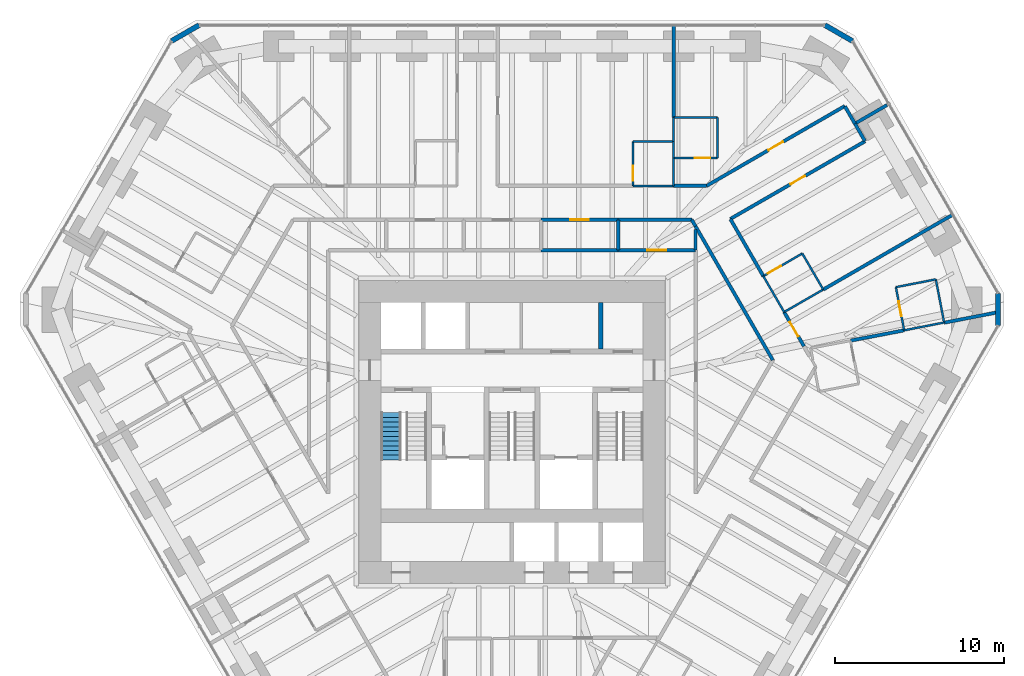
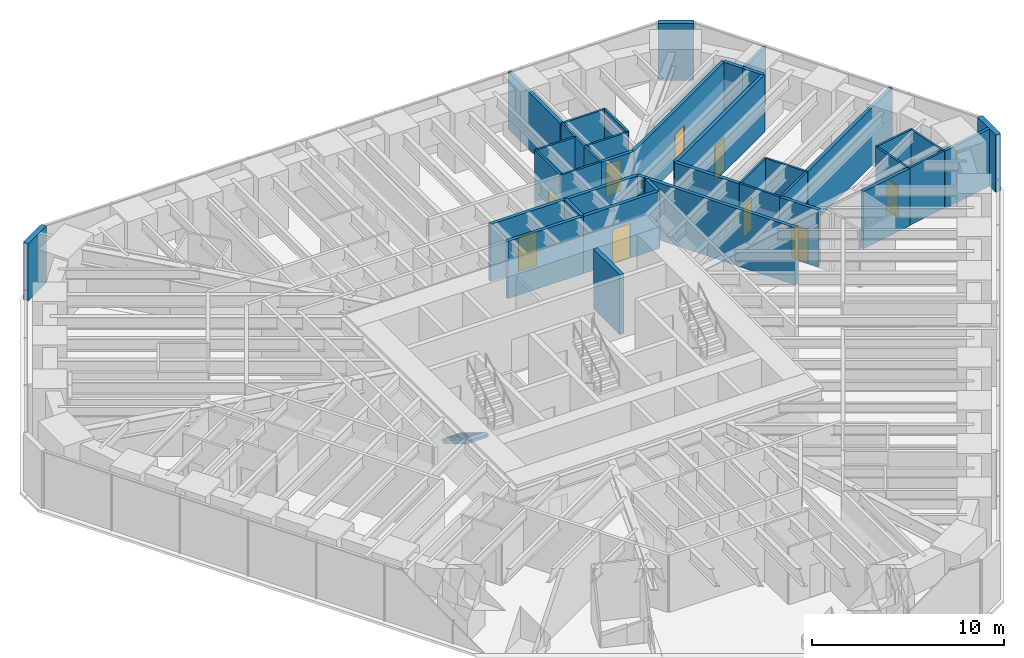
# One storey, part 15 of 17: 41 walls, 9 doors, 1 stair flight, 9 openings, 1 element without a shape of its own.
"""IFC4 building model written with IfcOpenShell, lengths in metres."""

from ifc_helpers import new_model, si_unit, direction, frame, frame_2d, origin, place, context, subcontext, project, spatial, polyline, rectangle, outline, extrude, material, layer, layer_set, type_object, element, fill, aggregate, save


model = new_model("IFC4")

# Units and contexts
model_context = context("Model", 3, precision=1e-05, world=origin(), true_north=direction((0.0, 1.0)))
body_context = subcontext(model_context, "Body", "Model", "MODEL_VIEW")
ifc_project = project(units=[si_unit("LENGTHUNIT", "METRE"), si_unit("AREAUNIT", "SQUARE_METRE"), si_unit("VOLUMEUNIT", "CUBIC_METRE"), si_unit("PLANEANGLEUNIT", "RADIAN"), si_unit("MASSUNIT", "GRAM", prefix="KILO")], contexts=[model_context])

# Site, building, storey
site_placement = place(None, origin())
site = spatial("IfcSite", under=ifc_project, at=site_placement, CompositionType="ELEMENT")
building_placement = place(site_placement, origin())
building = spatial("IfcBuilding", under=site, at=building_placement, Name="Sandreach Pilgrim Tower", CompositionType="ELEMENT")
storey_placement = place(building_placement, frame((0.0, 0.0, 142.39990234375)))
storey = spatial("IfcBuildingStorey", under=building, at=storey_placement, Name="L35", CompositionType="ELEMENT", Elevation=142.39990234375)

# Wall, opening, door
ifc_material_1 = material(Name="Moisture-resistant gypsum board on steel studs", Category="steel")
ifc_layer_1 = layer(ifc_material_1, 0.1201171875)
ifc_layer_set_1 = layer_set([ifc_layer_1], Name="Bathroom partition 120")
wall_type_1 = type_object("IfcWallType", Name="Bathroom partition 120", PredefinedType="PARTITIONING", material=ifc_layer_set_1)
wall_1_placement = place(storey_placement, frame((7.14990234375, 15.610107421875, 0.0), z_axis=(0.0, 0.0, 1.0), x_axis=(0.0, -1.0, 0.0)))
wall_1 = element("IfcWall", 1, at=wall_1_placement, inside=storey, type_object=wall_type_1, Name="Bathroom partition L35-100", PredefinedType="PARTITIONING", context=body_context, shape_type="SweptSolid", body=[
    extrude(rectangle(XDim=2.6201171875, YDim=0.1201171875, at=frame_2d((1.31005859375, 0.0))), origin(), (0.0, 0.0, 1.0), 3.64013671875),
])
opening_1_placement = place(wall_1_placement, frame((1.419921875, 0.0, 0.0)))
opening_1 = element("IfcOpeningElement", 2, at=opening_1_placement, cuts=wall_1, Name="Opening D09-03B", PredefinedType="OPENING", context=body_context, shape_type="SweptSolid", body=[
    extrude(rectangle(XDim=0.89990234375, YDim=2.030029296875, at=frame_2d((0.449951171875, 1.01513671875))), frame((0.0, 0.06005859375, 0.0), z_axis=(0.0, -1.0, 0.0), x_axis=(1.0, 0.0, 0.0)), (0.0, 0.0, 1.0), 0.1201171875),
])
ifc_material_2 = material(Name="Timber door, steel frame", Category="steel")
door_type_1 = type_object("IfcDoorType", Name="Bathroom door", OperationType="SINGLE_SWING_LEFT", PredefinedType="DOOR", material=ifc_material_2)
door_1_placement = place(opening_1_placement, origin())
door_1 = element("IfcDoor", 3, at=door_1_placement, inside=storey, type_object=door_type_1, Name="Door 3503B", OperationType="SINGLE_SWING_RIGHT", OverallHeight=2.030029296875, OverallWidth=0.89990234375, PredefinedType="DOOR", context=body_context, shape_type="SweptSolid", body=[
    extrude(rectangle(XDim=0.89990234375, YDim=2.030029296875, at=frame_2d((0.449951171875, 1.01513671875))), frame((0.0, 0.02490234375, 0.0), z_axis=(0.0, -1.0, 0.0), x_axis=(1.0, 0.0, 0.0)), (0.0, 0.0, 1.0), 0.050048828125),
])
fill(opening_1, door_1)

# Walls
wall_2_placement = place(storey_placement, frame((9.550048828125, 12.989990234375, 0.0), z_axis=(0.0, 0.0, 1.0), x_axis=(-1.0, 0.0, 0.0)))
element("IfcWall", 4, at=wall_2_placement, inside=storey, type_object=wall_type_1, Name="Bathroom partition L35-109", PredefinedType="PARTITIONING", context=body_context, shape_type="SweptSolid", body=[
    extrude(rectangle(XDim=2.400146484375, YDim=0.1201171875, at=frame_2d((1.2001953125, 0.0))), origin(), (0.0, 0.0, 1.0), 3.64013671875),
])
wall_3_placement = place(storey_placement, frame((9.550048828125, 14.639892578125, 0.0), z_axis=(0.0, 0.0, 1.0), x_axis=(0.0, -1.0, 0.0)))
element("IfcWall", 5, at=wall_3_placement, inside=storey, type_object=wall_type_1, Name="Bathroom partition L35-110", PredefinedType="PARTITIONING", context=body_context, shape_type="SweptSolid", body=[
    extrude(rectangle(XDim=1.64990234375, YDim=0.1201171875, at=frame_2d((0.824951171875, 0.0))), origin(), (0.0, 0.0, 1.0), 3.64013671875),
])

# Wall, opening, door
wall_4_placement = place(storey_placement, frame((9.550048828125, 14.639892578125, 0.0), z_axis=(0.0, 0.0, 1.0), x_axis=(1.0, 0.0, 0.0)))
wall_4 = element("IfcWall", 6, at=wall_4_placement, inside=storey, type_object=wall_type_1, Name="Bathroom partition L35-111", PredefinedType="PARTITIONING", context=body_context, shape_type="SweptSolid", body=[
    extrude(rectangle(XDim=2.599853515625, YDim=0.1201171875, at=frame_2d((1.2998046875, 0.0))), origin(), (0.0, 0.0, 1.0), 3.64013671875),
])
opening_2_placement = place(wall_4_placement, frame((1.25, 0.0, 0.0)))
opening_2 = element("IfcOpeningElement", 7, at=opening_2_placement, cuts=wall_4, Name="Opening D09-04B", PredefinedType="OPENING", context=body_context, shape_type="SweptSolid", body=[
    extrude(rectangle(XDim=0.89990234375, YDim=2.030029296875, at=frame_2d((0.449951171875, 1.01513671875))), frame((0.0, 0.06005859375, 0.0), z_axis=(0.0, -1.0, 0.0), x_axis=(1.0, 0.0, 0.0)), (0.0, 0.0, 1.0), 0.1201171875),
])
door_2_placement = place(opening_2_placement, origin())
door_2 = element("IfcDoor", 8, at=door_2_placement, inside=storey, type_object=door_type_1, Name="Door 3504B", OperationType="SINGLE_SWING_RIGHT", OverallHeight=2.030029296875, OverallWidth=0.89990234375, PredefinedType="DOOR", context=body_context, shape_type="SweptSolid", body=[
    extrude(rectangle(XDim=0.89990234375, YDim=2.030029296875, at=frame_2d((0.449951171875, 1.01513671875))), frame((0.0, 0.02490234375, 0.0), z_axis=(0.0, -1.0, 0.0), x_axis=(1.0, 0.0, 0.0)), (0.0, 0.0, 1.0), 0.050048828125),
])
fill(opening_2, door_2)

# Walls
wall_5_placement = place(storey_placement, frame((9.550048828125, 15.610107421875, 0.0), z_axis=(0.0, 0.0, 1.0), x_axis=(-1.0, 0.0, 0.0)))
element("IfcWall", 9, at=wall_5_placement, inside=storey, type_object=wall_type_1, Name="Bathroom partition L35-112", PredefinedType="PARTITIONING", context=body_context, shape_type="SweptSolid", body=[
    extrude(rectangle(XDim=2.400146484375, YDim=0.1201171875, at=frame_2d((1.2001953125, 0.0))), origin(), (0.0, 0.0, 1.0), 3.64013671875),
])
wall_6_placement = place(storey_placement, frame((9.550048828125, 15.610107421875, 0.0), z_axis=(0.0, 0.0, 1.0), x_axis=(0.0, -1.0, 0.0)))
element("IfcWall", 10, at=wall_6_placement, inside=storey, type_object=wall_type_1, Name="Bathroom partition L35-113", PredefinedType="PARTITIONING", context=body_context, shape_type="SweptSolid", body=[
    extrude(rectangle(XDim=0.97021484375, YDim=0.1201171875, at=frame_2d((0.485107421875, 0.0))), origin(), (0.0, 0.0, 1.0), 3.64013671875),
])
wall_7_placement = place(storey_placement, frame((9.550048828125, 17.0400390625, 0.0), z_axis=(0.0, 0.0, 1.0), x_axis=(0.0, -1.0, 0.0)))
element("IfcWall", 11, at=wall_7_placement, inside=storey, type_object=wall_type_1, Name="Bathroom partition L35-114", PredefinedType="PARTITIONING", context=body_context, shape_type="SweptSolid", body=[
    extrude(rectangle(XDim=1.429931640625, YDim=0.1201171875, at=frame_2d((0.71484375, 0.0))), origin(), (0.0, 0.0, 1.0), 3.64013671875),
])
wall_8_placement = place(storey_placement, frame((12.14990234375, 14.639892578125, 0.0), z_axis=(0.0, 0.0, 1.0), x_axis=(0.0, 1.0, 0.0)))
element("IfcWall", 12, at=wall_8_placement, inside=storey, type_object=wall_type_1, Name="Bathroom partition L35-123", PredefinedType="PARTITIONING", context=body_context, shape_type="SweptSolid", body=[
    extrude(rectangle(XDim=2.400146484375, YDim=0.1201171875, at=frame_2d((1.2001953125, 0.0))), origin(), (0.0, 0.0, 1.0), 3.64013671875),
])
wall_9_placement = place(storey_placement, frame((12.14990234375, 17.0400390625, 0.0), z_axis=(0.0, 0.0, 1.0), x_axis=(-1.0, 0.0, 0.0)))
element("IfcWall", 13, at=wall_9_placement, inside=storey, type_object=wall_type_1, Name="Bathroom partition L35-124", PredefinedType="PARTITIONING", context=body_context, shape_type="SweptSolid", body=[
    extrude(rectangle(XDim=2.599853515625, YDim=0.1201171875, at=frame_2d((1.2998046875, 0.0))), origin(), (0.0, 0.0, 1.0), 3.64013671875),
])
wall_10_placement = place(storey_placement, frame((14.85009765625, 7.66015625, 0.0), z_axis=(0.0, 0.0, 1.0), x_axis=(0.501236510024, -0.865310326426, 0.0)))
element("IfcWall", 14, at=wall_10_placement, inside=storey, type_object=wall_type_1, Name="Bathroom partition L35-129", PredefinedType="PARTITIONING", context=body_context, shape_type="SweptSolid", body=[
    extrude(rectangle(XDim=2.450927734375, YDim=0.1201171875, at=frame_2d((1.2255859375, 0.0))), origin(), (0.0, 0.0, 1.0), 3.64013671875),
])
wall_11_placement = place(storey_placement, frame((16.080078125, 5.5400390625, 0.0), z_axis=(0.0, 0.0, 1.0), x_axis=(0.86663205897, 0.498947767172, 0.0)))
element("IfcWall", 15, at=wall_11_placement, inside=storey, type_object=wall_type_1, Name="Bathroom partition L35-132", PredefinedType="PARTITIONING", context=body_context, shape_type="SweptSolid", body=[
    extrude(rectangle(XDim=2.665283203125, YDim=0.1201171875, at=frame_2d((1.33251953125, 0.0))), origin(), (0.0, 0.0, 1.0), 3.64013671875),
])

# Wall, opening, door
wall_12_placement = place(storey_placement, frame((17.14990234375, 9.0, 0.0), z_axis=(0.0, 0.0, 1.0), x_axis=(-0.864018325232, -0.503460359575, 0.0)))
wall_12 = element("IfcWall", 16, at=wall_12_placement, inside=storey, type_object=wall_type_1, Name="Bathroom partition L35-133", PredefinedType="PARTITIONING", context=body_context, shape_type="SweptSolid", body=[
    extrude(rectangle(XDim=2.661865234375, YDim=0.1201171875, at=frame_2d((1.3310546875, 0.0))), origin(), (0.0, 0.0, 1.0), 3.64013671875),
])
opening_3_placement = place(wall_12_placement, frame((1.4619140625, 0.0, 0.0)))
opening_3 = element("IfcOpeningElement", 17, at=opening_3_placement, cuts=wall_12, Name="Opening D09-05B", PredefinedType="OPENING", context=body_context, shape_type="SweptSolid", body=[
    extrude(rectangle(XDim=0.89990234375, YDim=2.030029296875, at=frame_2d((0.449951171875, 1.01513671875))), frame((0.0, 0.06005859375, 0.0), z_axis=(0.0, -1.0, 0.0), x_axis=(1.0, 0.0, 0.0)), (0.0, 0.0, 1.0), 0.1201171875),
])
door_3_placement = place(opening_3_placement, origin())
door_3 = element("IfcDoor", 18, at=door_3_placement, inside=storey, type_object=door_type_1, Name="Door 3505B", OperationType="SINGLE_SWING_RIGHT", OverallHeight=2.030029296875, OverallWidth=0.89990234375, PredefinedType="DOOR", context=body_context, shape_type="SweptSolid", body=[
    extrude(rectangle(XDim=0.89990234375, YDim=2.030029296875, at=frame_2d((0.449951171875, 1.01513671875))), frame((0.0, 0.02490234375, 0.0), z_axis=(0.0, -1.0, 0.0), x_axis=(1.0, 0.0, 0.0)), (0.0, 0.0, 1.0), 0.050048828125),
])
fill(opening_3, door_3)

# Wall
wall_13_placement = place(storey_placement, frame((18.389892578125, 6.8701171875, 0.0), z_axis=(0.0, 0.0, 1.0), x_axis=(-0.503131731744, 0.864209731785, 0.0)))
element("IfcWall", 19, at=wall_13_placement, inside=storey, type_object=wall_type_1, Name="Bathroom partition L35-141", PredefinedType="PARTITIONING", context=body_context, shape_type="SweptSolid", body=[
    extrude(rectangle(XDim=2.464599609375, YDim=0.1201171875, at=frame_2d((1.232421875, 0.0))), origin(), (0.0, 0.0, 1.0), 3.64013671875),
])

# Wall, opening, door
wall_14_placement = place(storey_placement, frame((22.679931640625, 7.010009765625, 0.0), z_axis=(0.0, 0.0, 1.0), x_axis=(0.188697442844, -0.982035271802, 0.0)))
wall_14 = element("IfcWall", 20, at=wall_14_placement, inside=storey, type_object=wall_type_1, Name="Bathroom partition L35-150", PredefinedType="PARTITIONING", context=body_context, shape_type="SweptSolid", body=[
    extrude(rectangle(XDim=2.5966796875, YDim=0.1201171875, at=frame_2d((1.29833984375, 0.0))), origin(), (0.0, 0.0, 1.0), 3.64013671875),
])
opening_4_placement = place(wall_14_placement, frame((0.85009765625, 0.0, 0.0)))
opening_4 = element("IfcOpeningElement", 21, at=opening_4_placement, cuts=wall_14, Name="Opening D09-06B", PredefinedType="OPENING", context=body_context, shape_type="SweptSolid", body=[
    extrude(rectangle(XDim=0.89990234375, YDim=2.030029296875, at=frame_2d((0.449951171875, 1.01513671875))), frame((0.0, 0.06005859375, 0.0), z_axis=(0.0, -1.0, 0.0), x_axis=(1.0, 0.0, 0.0)), (0.0, 0.0, 1.0), 0.1201171875),
])
door_4_placement = place(opening_4_placement, origin())
door_4 = element("IfcDoor", 22, at=door_4_placement, inside=storey, type_object=door_type_1, Name="Door 3506B", OperationType="SINGLE_SWING_LEFT", OverallHeight=2.030029296875, OverallWidth=0.89990234375, PredefinedType="DOOR", context=body_context, shape_type="SweptSolid", body=[
    extrude(rectangle(XDim=0.89990234375, YDim=2.030029296875, at=frame_2d((0.449951171875, 1.01513671875))), frame((0.0, 0.02490234375, 0.0), z_axis=(0.0, -1.0, 0.0), x_axis=(1.0, 0.0, 0.0)), (0.0, 0.0, 1.0), 0.050048828125),
])
fill(opening_4, door_4)

# Walls
for number, where, z_axis, x_axis, name in (
    (23, (23.169921875, 4.4599609375, 0.0), (0.0, 0.0, 1.0), (0.981533392326, 0.191290877329, 0.0), "Bathroom partition L35-151"),
    (24, (25.0400390625, 7.469970703125, 0.0), (0.0, 0.0, 1.0), (-0.981533392326, -0.191290877329, 0.0), "Bathroom partition L35-152"),
):
    element("IfcWall", number, at=place(storey_placement, frame(where, z_axis=z_axis, x_axis=x_axis)), inside=storey, type_object=wall_type_1, Name=name, PredefinedType="PARTITIONING", context=body_context, shape_type="SweptSolid", body=[
        extrude(rectangle(XDim=2.404541015625, YDim=0.1201171875, at=frame_2d((1.2021484375, 0.0))), origin(), (0.0, 0.0, 1.0), 3.64013671875),
    ])
wall_15_placement = place(storey_placement, frame((25.530029296875, 4.919921875, 0.0), z_axis=(0.0, 0.0, 1.0), x_axis=(-0.188697442844, 0.982035271802, 0.0)))
element("IfcWall", 25, at=wall_15_placement, inside=storey, type_object=wall_type_1, Name="Bathroom partition L35-153", PredefinedType="PARTITIONING", context=body_context, shape_type="SweptSolid", body=[
    extrude(rectangle(XDim=2.5966796875, YDim=0.1201171875, at=frame_2d((1.29833984375, 0.0))), origin(), (0.0, 0.0, 1.0), 3.64013671875),
])

# Wall, opening, door
ifc_material_3 = material(Name="Gypsum board on steel studs, two layers each side", Category="steel")
ifc_layer_2 = layer(ifc_material_3, 0.199951171875)
ifc_layer_set_2 = layer_set([ifc_layer_2], Name="Corridor wall 200")
wall_type_2 = type_object("IfcWallType", Name="Corridor wall 200", PredefinedType="PARTITIONING", material=ifc_layer_set_2)
wall_16_placement = place(storey_placement, frame((1.7099609375, 10.989990234375, 0.0), z_axis=(0.0, 0.0, 1.0), x_axis=(1.0, 0.0, 0.0)))
wall_16 = element("IfcWall", 26, at=wall_16_placement, inside=storey, type_object=wall_type_2, Name="Corridor wall L35-082", PredefinedType="PARTITIONING", context=body_context, shape_type="SweptSolid", body=[
    extrude(rectangle(XDim=4.56005859375, YDim=0.199951171875, at=frame_2d((2.280029296875, 0.0))), origin(), (0.0, 0.0, 1.0), 3.64013671875),
])
opening_5_placement = place(wall_16_placement, frame((1.72998046875, 0.0, 0.0)))
opening_5 = element("IfcOpeningElement", 27, at=opening_5_placement, cuts=wall_16, Name="Opening D11H-M05", PredefinedType="OPENING", context=body_context, shape_type="SweptSolid", body=[
    extrude(rectangle(XDim=1.10009765625, YDim=2.199951171875, at=frame_2d((0.550048828125, 1.10009765625))), frame((0.0, 0.10009765625, 0.0), z_axis=(0.0, -1.0, 0.0), x_axis=(1.0, 0.0, 0.0)), (0.0, 0.0, 1.0), 0.199951171875),
])
ifc_material_4 = material(Name="Steel door and frame", Category="steel")
door_type_2 = type_object("IfcDoorType", Name="Back of house door", OperationType="SINGLE_SWING_LEFT", PredefinedType="DOOR", material=ifc_material_4)
door_5_placement = place(opening_5_placement, origin())
door_5 = element("IfcDoor", 28, at=door_5_placement, inside=storey, type_object=door_type_2, Name="Door 35M05", OperationType="SINGLE_SWING_LEFT", OverallHeight=2.199951171875, OverallWidth=1.10009765625, PredefinedType="DOOR", context=body_context, shape_type="SweptSolid", body=[
    extrude(rectangle(XDim=1.10009765625, YDim=2.199951171875, at=frame_2d((0.550048828125, 1.10009765625))), frame((0.0, 0.02490234375, 0.0), z_axis=(0.0, -1.0, 0.0), x_axis=(1.0, 0.0, 0.0)), (0.0, 0.0, 1.0), 0.050048828125),
])
fill(opening_5, door_5)

# Walls
wall_17_placement = place(storey_placement, frame((6.27001953125, 9.199951171875, 0.0), z_axis=(0.0, 0.0, 1.0), x_axis=(-1.0, 0.0, 0.0)))
element("IfcWall", 29, at=wall_17_placement, inside=storey, type_object=wall_type_2, Name="Corridor wall L35-095", PredefinedType="PARTITIONING", context=body_context, shape_type="SweptSolid", body=[
    extrude(rectangle(XDim=4.56005859375, YDim=0.199951171875, at=frame_2d((2.280029296875, 0.0))), origin(), (0.0, 0.0, 1.0), 3.64013671875),
])
wall_18_placement = place(storey_placement, frame((6.27001953125, 10.989990234375, 0.0), z_axis=(0.0, 0.0, 1.0), x_axis=(1.0, 0.0, 0.0)))
element("IfcWall", 30, at=wall_18_placement, inside=storey, type_object=wall_type_2, Name="Corridor wall L35-097", PredefinedType="PARTITIONING", context=body_context, shape_type="SweptSolid", body=[
    extrude(rectangle(XDim=4.35009765625, YDim=0.199951171875, at=frame_2d((2.175048828125, 0.0))), origin(), (0.0, 0.0, 1.0), 3.64013671875),
])
wall_19_placement = place(storey_placement, frame((10.6201171875, 10.989990234375, 0.0), z_axis=(0.0, 0.0, 1.0), x_axis=(0.5011020393, -0.865388205495, 0.0)))
element("IfcWall", 31, at=wall_19_placement, inside=storey, type_object=wall_type_2, Name="Corridor wall L35-116", PredefinedType="PARTITIONING", context=body_context, shape_type="SweptSolid", body=[
    extrude(rectangle(XDim=0.43896484375, YDim=0.199951171875, at=frame_2d((0.219482421875, 0.0))), origin(), (0.0, 0.0, 1.0), 3.64013671875),
])

# Wall, opening, door
wall_20_placement = place(storey_placement, frame((10.840087890625, 9.199951171875, 0.0), z_axis=(0.0, 0.0, 1.0), x_axis=(-1.0, 0.0, 0.0)))
wall_20 = element("IfcWall", 32, at=wall_20_placement, inside=storey, type_object=wall_type_2, Name="Corridor wall L35-118", PredefinedType="PARTITIONING", context=body_context, shape_type="SweptSolid", body=[
    extrude(rectangle(XDim=4.570068359375, YDim=0.199951171875, at=frame_2d((2.28515625, 0.0))), origin(), (0.0, 0.0, 1.0), 3.64013671875),
])
opening_6_placement = place(wall_20_placement, frame((1.735107421875, 0.0, 0.0)))
opening_6 = element("IfcOpeningElement", 33, at=opening_6_placement, cuts=wall_20, Name="Opening D11H-M06", PredefinedType="OPENING", context=body_context, shape_type="SweptSolid", body=[
    extrude(rectangle(XDim=1.10009765625, YDim=2.199951171875, at=frame_2d((0.550048828125, 1.10009765625))), frame((0.0, 0.10009765625, 0.0), z_axis=(0.0, -1.0, 0.0), x_axis=(1.0, 0.0, 0.0)), (0.0, 0.0, 1.0), 0.199951171875),
])
door_6_placement = place(opening_6_placement, origin())
door_6 = element("IfcDoor", 34, at=door_6_placement, inside=storey, type_object=door_type_2, Name="Door 35M06", OperationType="SINGLE_SWING_LEFT", OverallHeight=2.199951171875, OverallWidth=1.10009765625, PredefinedType="DOOR", context=body_context, shape_type="SweptSolid", body=[
    extrude(rectangle(XDim=1.10009765625, YDim=2.199951171875, at=frame_2d((0.550048828125, 1.10009765625))), frame((0.0, 0.02490234375, 0.0), z_axis=(0.0, -1.0, 0.0), x_axis=(1.0, 0.0, 0.0)), (0.0, 0.0, 1.0), 0.050048828125),
])
fill(opening_6, door_6)

# Walls
wall_21_placement = place(storey_placement, frame((10.840087890625, 10.610107421875, 0.0), z_axis=(0.0, 0.0, 1.0), x_axis=(0.500237524763, -0.865888225361, 0.0)))
element("IfcWall", 35, at=wall_21_placement, inside=storey, type_object=wall_type_2, Name="Corridor wall L35-120", PredefinedType="PARTITIONING", context=body_context, shape_type="SweptSolid", body=[
    extrude(rectangle(XDim=9.13525390625, YDim=0.199951171875, at=frame_2d((4.567626953125, 0.0))), origin(), (0.0, 0.0, 1.0), 3.64013671875),
])
wall_22_placement = place(storey_placement, frame((11.489990234375, 12.989990234375, 0.0), z_axis=(0.0, 0.0, 1.0), x_axis=(-1.0, 0.0, 0.0)))
element("IfcWall", 36, at=wall_22_placement, inside=storey, type_object=wall_type_2, Name="Corridor wall L35-122", PredefinedType="PARTITIONING", context=body_context, shape_type="SweptSolid", body=[
    extrude(rectangle(XDim=1.93994140625, YDim=0.199951171875, at=frame_2d((0.969970703125, 0.0))), origin(), (0.0, 0.0, 1.0), 3.64013671875),
])

# Wall, opening, door
wall_23_placement = place(storey_placement, frame((12.89990234375, 11.0400390625, 0.0), z_axis=(0.0, 0.0, 1.0), x_axis=(0.866295705695, 0.499531530832, 0.0)))
wall_23 = element("IfcWall", 37, at=wall_23_placement, inside=storey, type_object=wall_type_2, Name="Corridor wall L35-125", PredefinedType="PARTITIONING", context=body_context, shape_type="SweptSolid", body=[
    extrude(rectangle(XDim=9.188720703125, YDim=0.199951171875, at=frame_2d((4.59423828125, 0.0))), origin(), (0.0, 0.0, 1.0), 3.64013671875),
])
opening_7_placement = place(wall_23_placement, frame((4.09423828125, 0.0, 0.0)))
opening_7 = element("IfcOpeningElement", 38, at=opening_7_placement, cuts=wall_23, Name="Opening D10-05", PredefinedType="OPENING", context=body_context, shape_type="SweptSolid", body=[
    extrude(rectangle(XDim=1.0, YDim=2.1298828125, at=frame_2d((0.5, 1.06494140625))), frame((0.0, 0.10009765625, 0.0), z_axis=(0.0, -1.0, 0.0), x_axis=(1.0, 0.0, 0.0)), (0.0, 0.0, 1.0), 0.199951171875),
])
ifc_material_5 = material(Name="Steel door and frame", Category="steel")
door_type_3 = type_object("IfcDoorType", Name="Guest room entry door", OperationType="SINGLE_SWING_LEFT", PredefinedType="DOOR", material=ifc_material_5)
door_7_placement = place(opening_7_placement, origin())
door_7 = element("IfcDoor", 39, at=door_7_placement, inside=storey, type_object=door_type_3, Name="Door 3505", OperationType="SINGLE_SWING_LEFT", OverallHeight=2.1298828125, OverallWidth=1.0, PredefinedType="DOOR", context=body_context, shape_type="SweptSolid", body=[
    extrude(rectangle(XDim=1.0, YDim=2.1298828125, at=frame_2d((0.5, 1.06494140625))), frame((0.0, 0.02490234375, 0.0), z_axis=(0.0, -1.0, 0.0), x_axis=(1.0, 0.0, 0.0)), (0.0, 0.0, 1.0), 0.050048828125),
])
fill(opening_7, door_7)

# Wall
wall_24_placement = place(storey_placement, frame((12.907470703125, 11.027099609375, 0.0), z_axis=(0.0, 0.0, 1.0), x_axis=(0.499726078095, -0.86618349492, 0.0)))
element("IfcWall", 40, at=wall_24_placement, inside=storey, type_object=wall_type_2, Name="Corridor wall L35-127", PredefinedType="PARTITIONING", context=body_context, shape_type="SweptSolid", body=[
    extrude(rectangle(XDim=3.887451171875, YDim=0.199951171875, at=frame_2d((1.94384765625, 0.0))), origin(), (0.0, 0.0, 1.0), 3.64013671875),
])

# Wall, opening, door
wall_25_placement = place(storey_placement, frame((16.07861328125, 5.539306640625, 0.0), z_axis=(0.0, 0.0, 1.0), x_axis=(0.501782258451, -0.864993968247, 0.0)))
wall_25 = element("IfcWall", 41, at=wall_25_placement, inside=storey, type_object=wall_type_2, Name="Corridor wall L35-131", PredefinedType="PARTITIONING", context=body_context, shape_type="SweptSolid", body=[
    extrude(rectangle(XDim=2.33447265625, YDim=0.199951171875, at=frame_2d((1.167236328125, 0.0))), origin(), (0.0, 0.0, 1.0), 3.64013671875),
])
opening_8_placement = place(wall_25_placement, frame((0.667236328125, 0.0, 0.0)))
opening_8 = element("IfcOpeningElement", 42, at=opening_8_placement, cuts=wall_25, Name="Opening D10-06", PredefinedType="OPENING", context=body_context, shape_type="SweptSolid", body=[
    extrude(rectangle(XDim=1.0, YDim=2.1298828125, at=frame_2d((0.5, 1.06494140625))), frame((0.0, 0.10009765625, 0.0), z_axis=(0.0, -1.0, 0.0), x_axis=(1.0, 0.0, 0.0)), (0.0, 0.0, 1.0), 0.199951171875),
])
door_8_placement = place(opening_8_placement, origin())
door_8 = element("IfcDoor", 43, at=door_8_placement, inside=storey, type_object=door_type_3, Name="Door 3506", OperationType="SINGLE_SWING_LEFT", OverallHeight=2.1298828125, OverallWidth=1.0, PredefinedType="DOOR", context=body_context, shape_type="SweptSolid", body=[
    extrude(rectangle(XDim=1.0, YDim=2.1298828125, at=frame_2d((0.5, 1.06494140625))), frame((0.0, 0.02490234375, 0.0), z_axis=(0.0, -1.0, 0.0), x_axis=(1.0, 0.0, 0.0)), (0.0, 0.0, 1.0), 0.050048828125),
])
fill(opening_8, door_8)

wall_26_placement = place(storey_placement, frame((19.659912109375, 17.7099609375, 0.0), z_axis=(0.0, 0.0, 1.0), x_axis=(-0.865884749539, -0.500243541204, 0.0)))
wall_26 = element("IfcWall", 44, at=wall_26_placement, inside=storey, type_object=wall_type_2, Name="Corridor wall L35-143", PredefinedType="PARTITIONING", context=body_context, shape_type="SweptSolid", body=[
    extrude(rectangle(XDim=9.435302734375, YDim=0.199951171875, at=frame_2d((4.7177734375, 0.0))), origin(), (0.0, 0.0, 1.0), 3.64013671875),
])
opening_9_placement = place(wall_26_placement, frame((4.2177734375, 0.0, 0.0)))
opening_9 = element("IfcOpeningElement", 45, at=opening_9_placement, cuts=wall_26, Name="Opening D10-04", PredefinedType="OPENING", context=body_context, shape_type="SweptSolid", body=[
    extrude(rectangle(XDim=1.0, YDim=2.1298828125, at=frame_2d((0.5, 1.06494140625))), frame((0.0, 0.10009765625, 0.0), z_axis=(0.0, -1.0, 0.0), x_axis=(1.0, 0.0, 0.0)), (0.0, 0.0, 1.0), 0.199951171875),
])
door_9_placement = place(opening_9_placement, origin())
door_9 = element("IfcDoor", 46, at=door_9_placement, inside=storey, type_object=door_type_3, Name="Door 3504", OperationType="SINGLE_SWING_LEFT", OverallHeight=2.1298828125, OverallWidth=1.0, PredefinedType="DOOR", context=body_context, shape_type="SweptSolid", body=[
    extrude(rectangle(XDim=1.0, YDim=2.1298828125, at=frame_2d((0.5, 1.06494140625))), frame((0.0, 0.02490234375, 0.0), z_axis=(0.0, -1.0, 0.0), x_axis=(1.0, 0.0, 0.0)), (0.0, 0.0, 1.0), 0.050048828125),
])
fill(opening_9, door_9)

# Walls
wall_27_placement = place(storey_placement, frame((19.66748046875, 17.697021484375, 0.0), z_axis=(0.0, 0.0, 1.0), x_axis=(0.499704629046, -0.866195869137, 0.0)))
element("IfcWall", 47, at=wall_27_placement, inside=storey, type_object=wall_type_2, Name="Corridor wall L35-144", PredefinedType="PARTITIONING", context=body_context, shape_type="SweptSolid", body=[
    extrude(rectangle(XDim=1.185791015625, YDim=0.199951171875, at=frame_2d((0.5927734375, 0.0))), origin(), (0.0, 0.0, 1.0), 3.64013671875),
])
wall_28_placement = place(storey_placement, frame((20.260009765625, 16.669921875, 0.0), z_axis=(0.0, 0.0, 1.0), x_axis=(0.499734288277, -0.866178758179, 0.0)))
element("IfcWall", 48, at=wall_28_placement, inside=storey, type_object=wall_type_2, Name="Corridor wall L35-146", PredefinedType="PARTITIONING", context=body_context, shape_type="SweptSolid", body=[
    extrude(rectangle(XDim=1.190673828125, YDim=0.199951171875, at=frame_2d((0.59521484375, 0.0))), origin(), (0.0, 0.0, 1.0), 3.64013671875),
])
ifc_material_6 = material(Name="Double steel stud acoustic wall, gypsum board", Category="steel")
ifc_layer_3 = layer(ifc_material_6, 0.199951171875)
ifc_layer_set_3 = layer_set([ifc_layer_3], Name="Party wall 200")
wall_type_3 = type_object("IfcWallType", Name="Party wall 200", PredefinedType="PARTITIONING", material=ifc_layer_set_3)
wall_29_placement = place(storey_placement, frame((6.27001953125, 10.97998046875, 0.0), z_axis=(0.0, 0.0, 1.0), x_axis=(0.0, -1.0, 0.0)))
element("IfcWall", 49, at=wall_29_placement, inside=storey, type_object=wall_type_3, Name="Party wall L35-096", PredefinedType="PARTITIONING", context=body_context, shape_type="SweptSolid", body=[
    extrude(rectangle(XDim=1.77001953125, YDim=0.199951171875, at=frame_2d((0.885009765625, 0.0))), origin(), (0.0, 0.0, 1.0), 3.64013671875),
])
wall_30_placement = place(storey_placement, frame((9.550048828125, 22.4599609375, 0.0), z_axis=(0.0, 0.0, 1.0), x_axis=(0.0, -1.0, 0.0)))
element("IfcWall", 50, at=wall_30_placement, inside=storey, type_object=wall_type_3, Name="Party wall L35-115", PredefinedType="PARTITIONING", context=body_context, shape_type="SweptSolid", body=[
    extrude(rectangle(XDim=5.419921875, YDim=0.199951171875, at=frame_2d((2.7099609375, 0.0))), origin(), (0.0, 0.0, 1.0), 3.64013671875),
])
wall_31_placement = place(storey_placement, frame((10.840087890625, 10.4150390625, 0.0), z_axis=(0.0, 0.0, 1.0), x_axis=(0.0, -1.0, 0.0)))
element("IfcWall", 51, at=wall_31_placement, inside=storey, type_object=wall_type_3, Name="Party wall L35-119", PredefinedType="PARTITIONING", context=body_context, shape_type="SweptSolid", body=[
    extrude(rectangle(XDim=1.205078125, YDim=0.199951171875, at=frame_2d((0.6025390625, 0.0))), origin(), (0.0, 0.0, 1.0), 3.64013671875),
])
wall_32_placement = place(storey_placement, frame((18.389892578125, 6.8701171875, 0.0), z_axis=(0.0, 0.0, 1.0), x_axis=(0.865875215531, 0.500260043506, 0.0)))
element("IfcWall", 52, at=wall_32_placement, inside=storey, type_object=wall_type_3, Name="Party wall L35-142", PredefinedType="PARTITIONING", context=body_context, shape_type="SweptSolid", body=[
    extrude(rectangle(XDim=8.804931640625, YDim=0.199951171875, at=frame_2d((4.40234375, 0.0))), origin(), (0.0, 0.0, 1.0), 3.64013671875),
])
wall_33_placement = place(storey_placement, frame((20.0, 3.85009765625, 0.0), z_axis=(0.0, 0.0, 1.0), x_axis=(0.981991339242, 0.188925936955, 0.0)))
element("IfcWall", 53, at=wall_33_placement, inside=storey, type_object=wall_type_3, Name="Party wall L35-145", PredefinedType="PARTITIONING", context=body_context, shape_type="SweptSolid", body=[
    extrude(rectangle(XDim=3.22802734375, YDim=0.199951171875, at=frame_2d((1.614013671875, 0.0))), origin(), (0.0, 0.0, 1.0), 3.64013671875),
])
wall_34_placement = place(storey_placement, frame((22.15625, 17.769775390625, 0.0), z_axis=(0.0, 0.0, 1.0), x_axis=(-0.865037029405, -0.501708020425, 0.0)))
element("IfcWall", 54, at=wall_34_placement, inside=storey, type_object=wall_type_3, Name="Party wall L35-149", PredefinedType="PARTITIONING", context=body_context, shape_type="SweptSolid", body=[
    extrude(rectangle(XDim=2.17724609375, YDim=0.199951171875, at=frame_2d((1.088623046875, 0.0))), origin(), (0.0, 0.0, 1.0), 3.64013671875),
])
wall_35_placement = place(storey_placement, frame((28.740478515625, 5.5341796875, 0.0), z_axis=(0.0, 0.0, 1.0), x_axis=(-0.98161461266, -0.190873655101, 0.0)))
element("IfcWall", 55, at=wall_35_placement, inside=storey, type_object=wall_type_3, Name="Party wall L35-154", PredefinedType="PARTITIONING", context=body_context, shape_type="SweptSolid", body=[
    extrude(rectangle(XDim=3.2705078125, YDim=0.199951171875, at=frame_2d((1.63525390625, 0.0))), origin(), (0.0, 0.0, 1.0), 3.64013671875),
])
ifc_material_7 = material(Name="Gypsum shaft wall on steel studs, two layers of shaft liner board", Category="steel")
ifc_layer_4 = layer(ifc_material_7, 0.25)
ifc_layer_set_4 = layer_set([ifc_layer_4], Name="Shaft partition 250")
wall_type_4 = type_object("IfcWallType", Name="Shaft partition 250", PredefinedType="PARTITIONING", material=ifc_layer_set_4)
wall_36_placement = place(storey_placement, frame((5.25, 3.35009765625, 0.0), z_axis=(0.0, 0.0, 1.0), x_axis=(0.0, 1.0, 0.0)))
element("IfcWall", 56, at=wall_36_placement, inside=storey, type_object=wall_type_4, Name="Shaft partition NS4 L35", PredefinedType="PARTITIONING", context=body_context, shape_type="SweptSolid", body=[
    extrude(rectangle(XDim=2.75, YDim=0.25, at=frame_2d((1.375, 0.0))), origin(), (0.0, 0.0, 1.0), 3.800048828125),
])
ifc_material_8 = material(Name="Terracotta rainscreen on concrete", Category="masonry")
ifc_layer_5 = layer(ifc_material_8, 0.300048828125)
ifc_layer_set_5 = layer_set([ifc_layer_5], Name="Terracotta chamfer pier")
wall_type_5 = type_object("IfcWallType", Name="Terracotta chamfer pier", PredefinedType="SOLIDWALL", material=ifc_layer_set_5)
wall_37_placement = place(storey_placement, frame((18.4814453125, 22.493896484375, 0.0), z_axis=(0.0, 0.0, 1.0), x_axis=(0.865988793993, -0.500063404658, 0.0)))
element("IfcWall", 57, at=wall_37_placement, inside=storey, type_object=wall_type_5, Name="Chamfer pier L35 N", PredefinedType="SOLIDWALL", context=body_context, shape_type="SweptSolid", body=[
    extrude(rectangle(XDim=1.880126953125, YDim=0.300048828125, at=frame_2d((0.93994140625, 0.0))), origin(), (0.0, 0.0, 1.0), 3.64013671875),
])
wall_38_placement = place(storey_placement, frame((28.720947265625, 6.638427734375, 0.0), z_axis=(0.0, 0.0, 1.0), x_axis=(0.0, -1.0, 0.0)))
element("IfcWall", 58, at=wall_38_placement, inside=storey, type_object=wall_type_5, Name="Chamfer pier L35 NE", PredefinedType="SOLIDWALL", context=body_context, shape_type="SweptSolid", body=[
    extrude(rectangle(XDim=1.8798828125, YDim=0.300048828125, at=frame_2d((0.93994140625, 0.0))), origin(), (0.0, 0.0, 1.0), 3.64013671875),
])
wall_39_placement = place(storey_placement, frame((-20.109619140625, 21.5537109375, 0.0), z_axis=(0.0, 0.0, 1.0), x_axis=(0.865988793993, 0.500063404658, 0.0)))
element("IfcWall", 59, at=wall_39_placement, inside=storey, type_object=wall_type_5, Name="Chamfer pier L35 NW", PredefinedType="SOLIDWALL", context=body_context, shape_type="SweptSolid", body=[
    extrude(rectangle(XDim=1.880126953125, YDim=0.300048828125, at=frame_2d((0.93994140625, 0.0))), origin(), (0.0, 0.0, 1.0), 3.64013671875),
])

# Stair, stair flight
ifc_material_9 = material(Name="Concrete 8000 psi", Category="concrete")
stair_type = type_object("IfcStairType", Name="Core exit stair", PredefinedType="HALF_TURN_STAIR", material=ifc_material_9)
stair_placement = place(storey_placement, origin())
stair = element("IfcStair", 60, at=stair_placement, inside=storey, type_object=stair_type, Name="Exit stair ST1 L35", PredefinedType="HALF_TURN_STAIR")
ifc_material_10 = material(Name="Concrete 8000 psi", Category="concrete")
stair_flight_type = type_object("IfcStairFlightType", Name="Core stair flight 1200", PredefinedType="STRAIGHT", material=ifc_material_10)
stair_flight_placement = place(storey_placement, frame((-7.14990234375, -0.39990234375, 0.0), z_axis=(0.0, 0.0, 1.0), x_axis=(0.0, -1.0, 0.0)))
stair_flight = element("IfcStairFlight", 61, at=stair_flight_placement, type_object=stair_flight_type, Name="ST1 flight 1", NumberOfRisers=11, NumberOfTreads=10, PredefinedType="STRAIGHT", RiserHeight=0.172727273, TreadLength=0.28, context=body_context, shape_type="SweptSolid", body=[
    extrude(outline(polyline([(0.0, 0.0), (0.0, 0.172607421875), (0.280029296875, 0.172607421875), (0.280029296875, 0.345458984375), (0.56005859375, 0.345458984375), (0.56005859375, 0.51806640625), (0.840087890625, 0.51806640625), (0.840087890625, 0.69091796875), (1.1201171875, 0.69091796875), (1.1201171875, 0.863525390625), (1.39990234375, 0.863525390625), (1.39990234375, 1.036376953125), (1.679931640625, 1.036376953125), (1.679931640625, 1.208984375), (1.9599609375, 1.208984375), (1.9599609375, 1.3818359375), (2.239990234375, 1.3818359375), (2.239990234375, 1.554443359375), (2.52001953125, 1.554443359375), (2.52001953125, 1.727294921875), (2.800048828125, 1.727294921875), (2.800048828125, 1.89990234375), (2.800048828125, 1.551025390625), (0.285400390625, 0.0), (0.0, 0.0)])), frame((0.0, 0.60009765625, 0.0), z_axis=(0.0, -1.0, 0.0), x_axis=(1.0, 0.0, 0.0)), (0.0, 0.0, 1.0), 1.199951171875),
])
aggregate(stair, [stair_flight])

save(model, "model.ifc")
